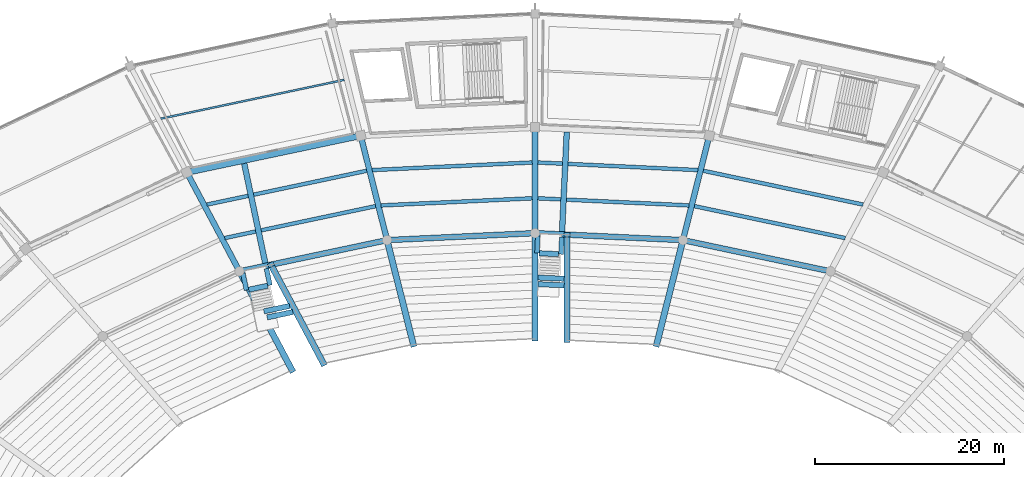
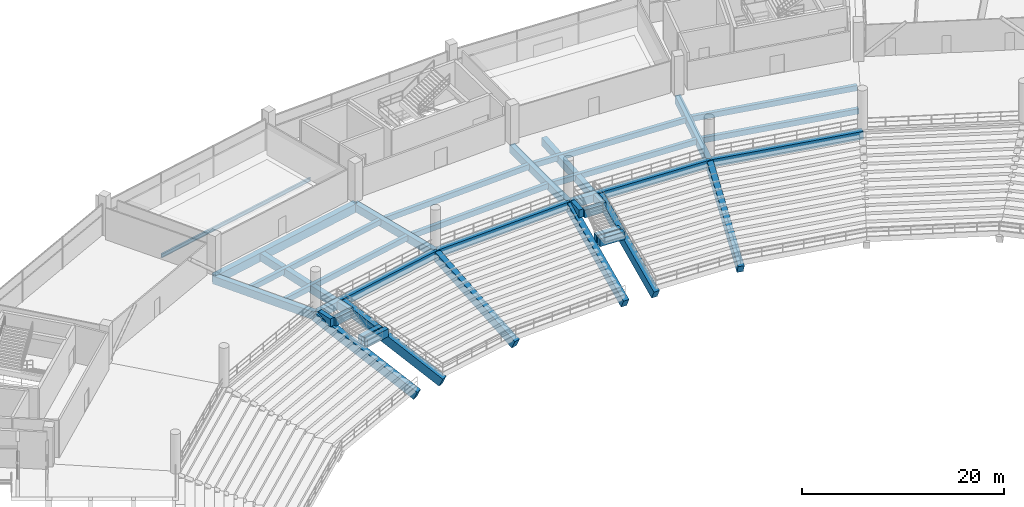
# One storey, part 76 of 156: 36 beams.
"""IFC4 building model written with IfcOpenShell, lengths in metres."""

from ifc_helpers import new_model, si_unit, direction, frame, origin, origin_2d, place, context, subcontext, project, spatial, rectangle, i_section, extrude, material, material_profile, profile_set, type_object, element, save


model = new_model("IFC4")

# Units and contexts
model_context = context("Model", 3, precision=1e-05, world=origin(), true_north=direction((0.0, 1.0)))
body_context = subcontext(model_context, "Body", "Model", "MODEL_VIEW")
ifc_project = project(units=[si_unit("LENGTHUNIT", "METRE"), si_unit("AREAUNIT", "SQUARE_METRE"), si_unit("VOLUMEUNIT", "CUBIC_METRE"), si_unit("PLANEANGLEUNIT", "RADIAN"), si_unit("MASSUNIT", "GRAM", prefix="KILO")], contexts=[model_context])

# Site, building, storey
site_placement = place(None, origin())
site = spatial("IfcSite", under=ifc_project, at=site_placement, CompositionType="ELEMENT")
building_placement = place(site_placement, origin())
building = spatial("IfcBuilding", under=site, at=building_placement, Name="Kazemori Nagisa Stadium", CompositionType="ELEMENT")
storey_placement = place(building_placement, frame((0.0, 0.0, 5.780029296875)))
storey = spatial("IfcBuildingStorey", under=building, at=storey_placement, Name="L01", CompositionType="ELEMENT", Elevation=5.780029296875)

# Beams
ifc_material_1 = material(Name="Concrete C40/50 (Fc42)", Category="concrete")
ifc_material_profile_1 = material_profile(ifc_material_1, rectangle(XDim=0.60009765625, YDim=0.949951171875, at=origin_2d()), Name="RC-BM-600x950")
ifc_profile_set_1 = profile_set([ifc_material_profile_1], Name="Concrete C40/50 (Fc42)")
beam_type_1 = type_object("IfcBeamType", Name="Beam_BG-RC600X950", PredefinedType="BEAM", material=ifc_profile_set_1)
beam_1_placement = place(storey_placement, frame((154.24755859375, 160.739013671875, -0.755126953125), z_axis=(-0.978348272746, 0.206965352692, 0.0), x_axis=(-0.206965352692, -0.978348272746, 0.0)))
element("IfcBeam", 1, at=beam_1_placement, inside=storey, type_object=beam_type_1, Name="Ring girder BG-RC600X950 L01 R1-06", PredefinedType="BEAM", context=body_context, shape_type="SweptSolid", body=[
    extrude(rectangle(XDim=0.60009765625, YDim=0.949951171875, at=origin_2d()), origin(), (0.0, 0.0, 1.0), 15.950927734375),
])
for number, where, z_axis, x_axis, name in (
    (2, (138.64208984375, 164.040283203125, -0.755126953125), (-0.998883604512, 0.047239227746, 0.0), (-0.047239227746, -0.998883604512, 0.0), "Ring girder BG-RC600X950 L01 R1-07"),
    (3, (123.0, 164.780029296875, -0.755126953125), (-0.998883604512, -0.047239227746, 0.0), (0.047239227746, -0.998883604512, 0.0), "Ring girder BG-RC600X950 L01 R1-08"),
):
    element("IfcBeam", number, at=place(storey_placement, frame(where, z_axis=z_axis, x_axis=x_axis)), inside=storey, type_object=beam_type_1, Name=name, PredefinedType="BEAM", context=body_context, shape_type="SweptSolid", body=[
        extrude(rectangle(XDim=0.60009765625, YDim=0.949951171875, at=origin_2d()), origin(), (0.0, 0.0, 1.0), 15.65966796875),
    ])
beam_2_placement = place(storey_placement, frame((107.35791015625, 164.040283203125, -0.755126953125), z_axis=(-0.978348272746, -0.206965352692, 0.0), x_axis=(0.206965352692, -0.978348272746, 0.0)))
element("IfcBeam", 4, at=beam_2_placement, inside=storey, type_object=beam_type_1, Name="Ring girder BG-RC600X950 L01 R1-09", PredefinedType="BEAM", context=body_context, shape_type="SweptSolid", body=[
    extrude(rectangle(XDim=0.60009765625, YDim=0.949951171875, at=origin_2d()), origin(), (0.0, 0.0, 1.0), 15.950927734375),
])
beam_3_placement = place(storey_placement, frame((138.64208984375, 164.040283203125, -0.755126953125), z_axis=(0.244481205955, 0.969654031052, 0.0), x_axis=(-0.969654031052, 0.244481205955, 0.0)))
element("IfcBeam", 5, at=beam_3_placement, inside=storey, type_object=beam_type_1, Name="Radial girder BG-RC600X950 L01 R1-R2-07", PredefinedType="BEAM", context=body_context, shape_type="SweptSolid", body=[
    extrude(rectangle(XDim=0.60009765625, YDim=0.949951171875, at=origin_2d()), origin(), (0.0, 0.0, 1.0), 11.39404296875),
])
beam_4_placement = place(storey_placement, frame((123.0, 164.780029296875, -0.755126953125), z_axis=(0.0, 1.0, 0.0), x_axis=(-1.0, 0.0, 0.0)))
element("IfcBeam", 6, at=beam_4_placement, inside=storey, type_object=beam_type_1, Name="Radial girder BG-RC600X950 L01 R1-R2-08", PredefinedType="BEAM", context=body_context, shape_type="SweptSolid", body=[
    extrude(rectangle(XDim=0.60009765625, YDim=0.949951171875, at=origin_2d()), origin(), (0.0, 0.0, 1.0), 11.179931640625),
])
beam_5_placement = place(storey_placement, frame((107.35791015625, 164.040283203125, -0.755126953125), z_axis=(-0.244481205955, 0.969654031052, 0.0), x_axis=(-0.969654031052, -0.244481205955, 0.0)))
element("IfcBeam", 7, at=beam_5_placement, inside=storey, type_object=beam_type_1, Name="Radial girder BG-RC600X950 L01 R1-R2-09", PredefinedType="BEAM", context=body_context, shape_type="SweptSolid", body=[
    extrude(rectangle(XDim=0.60009765625, YDim=0.949951171875, at=origin_2d()), origin(), (0.0, 0.0, 1.0), 11.39404296875),
])
beam_6_placement = place(storey_placement, frame((91.75244140625, 160.739013671875, -0.755126953125), z_axis=(-0.469646804203, 0.882854393036, 0.0), x_axis=(-0.882854393036, -0.469646804203, 0.0)))
element("IfcBeam", 8, at=beam_6_placement, inside=storey, type_object=beam_type_1, Name="Radial girder BG-RC600X950 L01 R1-R2-10", PredefinedType="BEAM", context=body_context, shape_type="SweptSolid", body=[
    extrude(rectangle(XDim=0.60009765625, YDim=0.949951171875, at=origin_2d()), origin(), (0.0, 0.0, 1.0), 11.84814453125),
])
beam_7_placement = place(storey_placement, frame((125.86083984375, 164.940185546875, -0.755126953125), z_axis=(0.047218229018, 0.998884597363, 0.0), x_axis=(-0.998884597363, 0.047218229018, 0.0)))
element("IfcBeam", 9, at=beam_7_placement, inside=storey, type_object=beam_type_1, Name="Lower vomitory right backspan girder B07", PredefinedType="BEAM", context=body_context, shape_type="SweptSolid", body=[
    extrude(rectangle(XDim=0.60009765625, YDim=0.949951171875, at=origin_2d()), origin(), (0.0, 0.0, 1.0), 10.5322265625),
])
beam_8_placement = place(storey_placement, frame((94.479736328125, 161.617431640625, -0.755126953125), z_axis=(-0.20697405757, 0.978346431226, 0.0), x_axis=(-0.978346431226, -0.20697405757, 0.0)))
element("IfcBeam", 10, at=beam_8_placement, inside=storey, type_object=beam_type_1, Name="Lower vomitory right backspan girder B09", PredefinedType="BEAM", context=body_context, shape_type="SweptSolid", body=[
    extrude(rectangle(XDim=0.60009765625, YDim=0.949951171875, at=origin_2d()), origin(), (0.0, 0.0, 1.0), 10.750732421875),
])
ifc_material_profile_2 = material_profile(ifc_material_1, rectangle(XDim=0.64990234375, YDim=1.050048828125, at=origin_2d()), Name="RC-BM-650x1050")
ifc_profile_set_2 = profile_set([ifc_material_profile_2], Name="Concrete C40/50 (Fc42)")
beam_type_2 = type_object("IfcBeamType", Name="Beam_BG-RC650X1050", PredefinedType="BEAM", material=ifc_profile_set_2)
beam_9_placement = place(storey_placement, frame((104.572265625, 175.088623046875, -0.804931640625), z_axis=(-0.978345149833, -0.206980114499, 0.0), x_axis=(0.206980114499, -0.978345149833, 0.0)))
element("IfcBeam", 11, at=beam_9_placement, inside=storey, type_object=beam_type_2, Name="Ring girder BG-RC650X1050 L01 R2-09", PredefinedType="BEAM", context=body_context, shape_type="SweptSolid", body=[
    extrude(rectangle(XDim=0.64990234375, YDim=1.050048828125, at=origin_2d()), origin(), (0.0, 0.0, 1.0), 18.791259765625),
])
ifc_material_profile_3 = material_profile(ifc_material_1, rectangle(XDim=0.5, YDim=0.949951171875, at=origin_2d()), Name="RC-BM-500x950")
ifc_profile_set_3 = profile_set([ifc_material_profile_3], Name="Concrete C40/50 (Fc42)")
beam_type_3 = type_object("IfcBeamType", Name="Beam_BG-TR500X950", PredefinedType="BEAM", material=ifc_profile_set_3)
for number, where, z_axis, x_axis, name in (
    (12, (123.21044921875, 162.667724609375, -0.695068359375), (0.047205272607, 0.99888520974, 0.0), (-0.99888520974, 0.047205272607, 0.0), "Lower vomitory left trimmer girder B07"),
    (13, (125.74755859375, 162.5478515625, -0.695068359375), (0.047340228572, 0.99887882286, 0.0), (-0.99887882286, 0.047340228572, 0.0), "Lower vomitory right trimmer girder B07"),
    (14, (92.490478515625, 158.74853515625, -0.695068359375), (-0.206951121694, 0.978351283144, 0.0), (-0.978351283144, -0.206951121694, 0.0), "Lower vomitory left trimmer girder B09"),
):
    element("IfcBeam", number, at=place(storey_placement, frame(where, z_axis=z_axis, x_axis=x_axis)), inside=storey, type_object=beam_type_3, Name=name, PredefinedType="BEAM", context=body_context, shape_type="SweptSolid", body=[
        extrude(rectangle(XDim=0.5, YDim=0.949951171875, at=origin_2d()), origin(), (0.0, 0.0, 1.0), 1.804931640625),
    ])
beam_10_placement = place(storey_placement, frame((94.9755859375, 159.274169921875, -0.695068359375), z_axis=(-0.207053186609, 0.978329687741, 0.0), x_axis=(-0.978329687741, -0.207053186609, 0.0)))
element("IfcBeam", 15, at=beam_10_placement, inside=storey, type_object=beam_type_3, Name="Lower vomitory right trimmer girder B09", PredefinedType="BEAM", context=body_context, shape_type="SweptSolid", body=[
    extrude(rectangle(XDim=0.5, YDim=0.949951171875, at=origin_2d()), origin(), (0.0, 0.0, 1.0), 1.80517578125),
])
ifc_material_profile_4 = material_profile(ifc_material_1, rectangle(XDim=0.550048828125, YDim=0.949951171875, at=origin_2d()), Name="RC-BM-550x950")
ifc_profile_set_4 = profile_set([ifc_material_profile_4], Name="Concrete C40/50 (Fc42)")
beam_type_4 = type_object("IfcBeamType", Name="Beam_BG-TR550X950", PredefinedType="BEAM", material=ifc_profile_set_4)
for number, where, z_axis, x_axis, name in (
    (16, (123.455078125, 162.65625, -0.695068359375), (0.99888183658, -0.047276596223, 0.0), (0.047276596223, 0.99888183658, 0.0), "Lower vomitory portal header girder B07"),
    (17, (92.730224609375, 158.79931640625, -0.695068359375), (0.97834460187, 0.206982704571, 0.0), (-0.206982704571, 0.97834460187, 0.0), "Lower vomitory portal header girder B09"),
):
    element("IfcBeam", number, at=place(storey_placement, frame(where, z_axis=z_axis, x_axis=x_axis)), inside=storey, type_object=beam_type_4, Name=name, PredefinedType="BEAM", context=body_context, shape_type="SweptSolid", body=[
        extrude(rectangle(XDim=0.550048828125, YDim=0.949951171875, at=origin_2d()), origin(), (0.0, 0.0, 1.0), 2.050048828125),
    ])
for number, where, z_axis, x_axis, name in (
    (18, (126.08642578125, 159.9541015625, -2.135009765625), (-0.998883187939, 0.047248035441, 0.0), (-0.047248035441, -0.998883187939, 0.0), "Vomitory landing cross-beam VL03-1"),
    (19, (126.08642578125, 159.25732421875, -2.135009765625), (-0.998883187939, 0.047248035441, 0.0), (-0.047248035441, -0.998883187939, 0.0), "Vomitory landing cross-beam VL03-2"),
    (20, (97.060302734375, 157.08349609375, -2.135009765625), (-0.97834149523, -0.206997388174, 0.0), (0.206997388174, -0.97834149523, 0.0), "Vomitory landing cross-beam VL04-1"),
    (21, (97.400634765625, 156.444091796875, -2.135009765625), (-0.97834149523, -0.206997388174, 0.0), (0.206997388174, -0.97834149523, 0.0), "Vomitory landing cross-beam VL04-2"),
):
    element("IfcBeam", number, at=place(storey_placement, frame(where, z_axis=z_axis, x_axis=x_axis)), inside=storey, type_object=beam_type_4, Name=name, PredefinedType="BEAM", context=body_context, shape_type="SweptSolid", body=[
        extrude(rectangle(XDim=0.550048828125, YDim=0.949951171875, at=origin_2d()), origin(), (0.0, 0.0, 1.0), 2.780029296875),
    ])
ifc_material_2 = material(Name="Steel SN490B", Category="steel")
ifc_material_profile_5 = material_profile(ifc_material_2, i_section(OverallWidth=0.199951171875, OverallDepth=0.449951171875, WebThickness=0.009033203125, FlangeThickness=0.013916015625, FilletRadius=0.012939453125, at=origin_2d()), Name="H-450x200x9x14")
ifc_profile_set_5 = profile_set([ifc_material_profile_5], Name="Steel SN490B")
beam_type_5 = type_object("IfcBeamType", Name="Beam_BJ-H450", PredefinedType="JOIST", material=ifc_profile_set_5)
beam_11_placement = place(storey_placement, frame((102.83251953125, 180.987060546875, -0.505126953125), z_axis=(-0.978345532316, -0.206978306584, 0.0), x_axis=(0.206978306584, -0.978345532316, 0.0)))
element("IfcBeam", 22, at=beam_11_placement, inside=storey, type_object=beam_type_5, Name="Outer bay joist BJ-H450 L01 B09", PredefinedType="JOIST", context=body_context, shape_type="SweptSolid", body=[
    extrude(i_section(OverallWidth=0.199951171875, OverallDepth=0.449951171875, WebThickness=0.009033203125, FlangeThickness=0.013916015625, FilletRadius=0.012939453125, at=origin_2d()), origin(), (0.0, 0.0, 1.0), 19.83056640625),
])
ifc_material_profile_6 = material_profile(ifc_material_1, rectangle(XDim=0.39990234375, YDim=0.64990234375, at=origin_2d()), Name="RC-BM-400x650")
ifc_profile_set_6 = profile_set([ifc_material_profile_6], Name="Concrete C40/50 (Fc42)")
beam_type_6 = type_object("IfcBeamType", Name="Beam_BJ-RC400X650", PredefinedType="JOIST", material=ifc_profile_set_6)
beam_12_placement = place(storey_placement, frame((155.799560546875, 164.260009765625, -0.60498046875), z_axis=(-0.978345737153, 0.206977338361, 0.0), x_axis=(-0.206977338361, -0.978345737153, 0.0)))
element("IfcBeam", 23, at=beam_12_placement, inside=storey, type_object=beam_type_6, Name="Concourse joist BJ-RC400X650 L01 B06-1", PredefinedType="JOIST", context=body_context, shape_type="SweptSolid", body=[
    extrude(rectangle(XDim=0.39990234375, YDim=0.64990234375, at=origin_2d()), origin(), (0.0, 0.0, 1.0), 16.30029296875),
])
beam_13_placement = place(storey_placement, frame((157.682861328125, 167.80029296875, -0.60498046875), z_axis=(-0.97834325925, 0.206989050628, 0.0), x_axis=(-0.206989050628, -0.97834325925, 0.0)))
element("IfcBeam", 24, at=beam_13_placement, inside=storey, type_object=beam_type_6, Name="Concourse joist BJ-RC400X650 L01 B06-2", PredefinedType="JOIST", context=body_context, shape_type="SweptSolid", body=[
    extrude(rectangle(XDim=0.39990234375, YDim=0.64990234375, at=origin_2d()), origin(), (0.0, 0.0, 1.0), 17.26171875),
])
beam_14_placement = place(storey_placement, frame((139.26904296875, 167.708740234375, -0.60498046875), z_axis=(-0.998883867028, 0.047233676462, 0.0), x_axis=(-0.047233676462, -0.998883867028, 0.0)))
element("IfcBeam", 25, at=beam_14_placement, inside=storey, type_object=beam_type_6, Name="Concourse joist BJ-RC400X650 L01 B07-1", PredefinedType="JOIST", context=body_context, shape_type="SweptSolid", body=[
    extrude(rectangle(XDim=0.39990234375, YDim=0.64990234375, at=origin_2d()), origin(), (0.0, 0.0, 1.0), 15.9921875),
])
beam_15_placement = place(storey_placement, frame((140.211669921875, 171.4482421875, -0.60498046875), z_axis=(-0.998884256715, 0.047225434754, 0.0), x_axis=(-0.047225434754, -0.998884256715, 0.0)))
element("IfcBeam", 26, at=beam_15_placement, inside=storey, type_object=beam_type_6, Name="Concourse joist BJ-RC400X650 L01 B07-2", PredefinedType="JOIST", context=body_context, shape_type="SweptSolid", body=[
    extrude(rectangle(XDim=0.39990234375, YDim=0.64990234375, at=origin_2d()), origin(), (0.0, 0.0, 1.0), 16.935791015625),
])
beam_16_placement = place(storey_placement, frame((122.705322265625, 168.464111328125, -0.60498046875), z_axis=(-0.998883867028, -0.047233676462, 0.0), x_axis=(0.047233676462, -0.998883867028, 0.0)))
element("IfcBeam", 27, at=beam_16_placement, inside=storey, type_object=beam_type_6, Name="Concourse joist BJ-RC400X650 L01 B08-1", PredefinedType="JOIST", context=body_context, shape_type="SweptSolid", body=[
    extrude(rectangle(XDim=0.39990234375, YDim=0.64990234375, at=origin_2d()), origin(), (0.0, 0.0, 1.0), 15.9921875),
])
beam_17_placement = place(storey_placement, frame((122.705322265625, 172.248046875, -0.60498046875), z_axis=(-0.998884256715, -0.047225434754, 0.0), x_axis=(0.047225434754, -0.998884256715, 0.0)))
element("IfcBeam", 28, at=beam_17_placement, inside=storey, type_object=beam_type_6, Name="Concourse joist BJ-RC400X650 L01 B08-2", PredefinedType="JOIST", context=body_context, shape_type="SweptSolid", body=[
    extrude(rectangle(XDim=0.39990234375, YDim=0.64990234375, at=origin_2d()), origin(), (0.0, 0.0, 1.0), 16.935791015625),
])
beam_18_placement = place(storey_placement, frame((106.147705078125, 167.6337890625, -0.60498046875), z_axis=(-0.978345737153, -0.206977338361, 0.0), x_axis=(0.206977338361, -0.978345737153, 0.0)))
element("IfcBeam", 29, at=beam_18_placement, inside=storey, type_object=beam_type_6, Name="Concourse joist BJ-RC400X650 L01 B09-1", PredefinedType="JOIST", context=body_context, shape_type="SweptSolid", body=[
    extrude(rectangle(XDim=0.39990234375, YDim=0.64990234375, at=origin_2d()), origin(), (0.0, 0.0, 1.0), 16.30029296875),
])
beam_19_placement = place(storey_placement, frame((105.205078125, 171.373291015625, -0.60498046875), z_axis=(-0.97834325925, -0.206989050628, 0.0), x_axis=(0.206989050628, -0.97834325925, 0.0)))
element("IfcBeam", 30, at=beam_19_placement, inside=storey, type_object=beam_type_6, Name="Concourse joist BJ-RC400X650 L01 B09-2", PredefinedType="JOIST", context=body_context, shape_type="SweptSolid", body=[
    extrude(rectangle(XDim=0.39990234375, YDim=0.64990234375, at=origin_2d()), origin(), (0.0, 0.0, 1.0), 17.26171875),
])
ifc_material_profile_7 = material_profile(ifc_material_1, rectangle(XDim=0.64990234375, YDim=1.10009765625, at=origin_2d()), Name="RC-RK-650x1100")
ifc_profile_set_7 = profile_set([ifc_material_profile_7], Name="Concrete C40/50 (Fc42)")
beam_type_7 = type_object("IfcBeamType", Name="Beam_RK-RC650X1100", PredefinedType="USERDEFINED", material=ifc_profile_set_7)
beam_20_placement = place(storey_placement, frame((135.856689453125, 152.9921875, -5.97998046875), z_axis=(0.222767621048, 0.88359217769, 0.411873100042), x_axis=(-0.969657829837, 0.244466138833, 0.0)))
element("IfcBeam", 31, at=beam_20_placement, inside=storey, type_object=beam_type_7, Name="Raker beam lower RK1-07", ObjectType="RAKER BEAM", PredefinedType="USERDEFINED", context=body_context, shape_type="SweptSolid", body=[
    extrude(rectangle(XDim=0.64990234375, YDim=1.10009765625, at=origin_2d()), origin(), (0.0, 0.0, 1.0), 12.503662109375),
])
beam_21_placement = place(storey_placement, frame((123.0, 153.60009765625, -5.97998046875), z_axis=(0.0, 0.908270290218, 0.418383890592), x_axis=(-1.0, 0.0, 0.0)))
element("IfcBeam", 32, at=beam_21_placement, inside=storey, type_object=beam_type_7, Name="Raker beam lower RK1-08", ObjectType="RAKER BEAM", PredefinedType="USERDEFINED", context=body_context, shape_type="SweptSolid", body=[
    extrude(rectangle(XDim=0.64990234375, YDim=1.10009765625, at=origin_2d()), origin(), (0.0, 0.0, 1.0), 12.30908203125),
])
beam_22_placement = place(storey_placement, frame((110.143310546875, 152.9921875, -5.97998046875), z_axis=(-0.222767621048, 0.88359217769, 0.411873100042), x_axis=(-0.969657829837, -0.244466138833, 0.0)))
element("IfcBeam", 33, at=beam_22_placement, inside=storey, type_object=beam_type_7, Name="Raker beam lower RK1-09", ObjectType="RAKER BEAM", PredefinedType="USERDEFINED", context=body_context, shape_type="SweptSolid", body=[
    extrude(rectangle(XDim=0.64990234375, YDim=1.10009765625, at=origin_2d()), origin(), (0.0, 0.0, 1.0), 12.503662109375),
])
beam_23_placement = place(storey_placement, frame((97.317138671875, 150.278564453125, -5.97998046875), z_axis=(-0.430727413965, 0.809676075056, 0.398620807712), x_axis=(-0.882850394325, -0.469654321007, 0.0)))
element("IfcBeam", 34, at=beam_23_placement, inside=storey, type_object=beam_type_7, Name="Raker beam lower RK1-10", ObjectType="RAKER BEAM", PredefinedType="USERDEFINED", context=body_context, shape_type="SweptSolid", body=[
    extrude(rectangle(XDim=0.64990234375, YDim=1.10009765625, at=origin_2d()), origin(), (0.0, 0.0, 1.0), 12.919189453125),
])
beam_24_placement = place(storey_placement, frame((126.396240234375, 153.439453125, -5.97998046875), z_axis=(0.0, 0.908270290218, 0.418383890592), x_axis=(-1.0, 0.0, 0.0)))
element("IfcBeam", 35, at=beam_24_placement, inside=storey, type_object=beam_type_7, Name="Raker beam lower vomitory cheek RK1V-07", ObjectType="RAKER BEAM", PredefinedType="USERDEFINED", context=body_context, shape_type="SweptSolid", body=[
    extrude(rectangle(XDim=0.64990234375, YDim=1.10009765625, at=origin_2d()), origin(), (0.0, 0.0, 1.0), 12.30908203125),
])
beam_25_placement = place(storey_placement, frame((100.6435546875, 150.982177734375, -5.97998046875), z_axis=(-0.430727413965, 0.809676075056, 0.398620807712), x_axis=(-0.882850394325, -0.469654321007, 0.0)))
element("IfcBeam", 36, at=beam_25_placement, inside=storey, type_object=beam_type_7, Name="Raker beam lower vomitory cheek RK1V-09", ObjectType="RAKER BEAM", PredefinedType="USERDEFINED", context=body_context, shape_type="SweptSolid", body=[
    extrude(rectangle(XDim=0.64990234375, YDim=1.10009765625, at=origin_2d()), origin(), (0.0, 0.0, 1.0), 12.919189453125),
])

save(model, "model.ifc")
